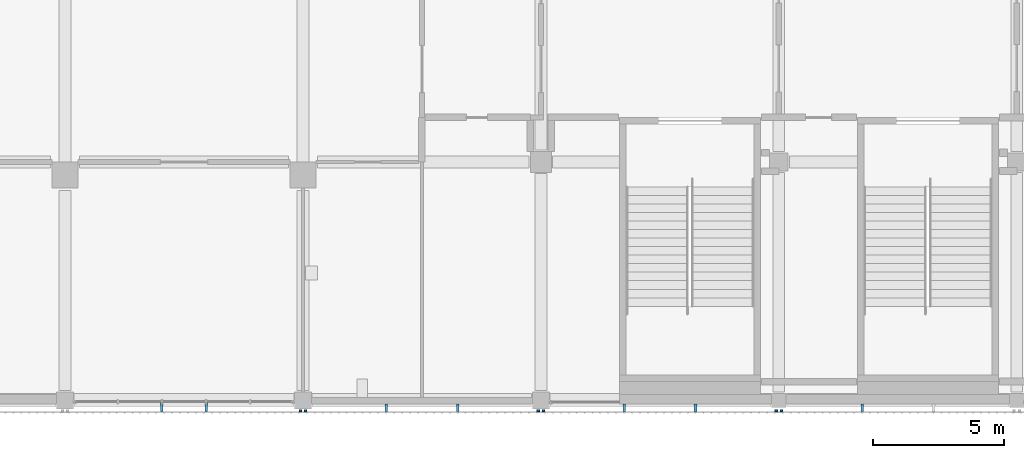
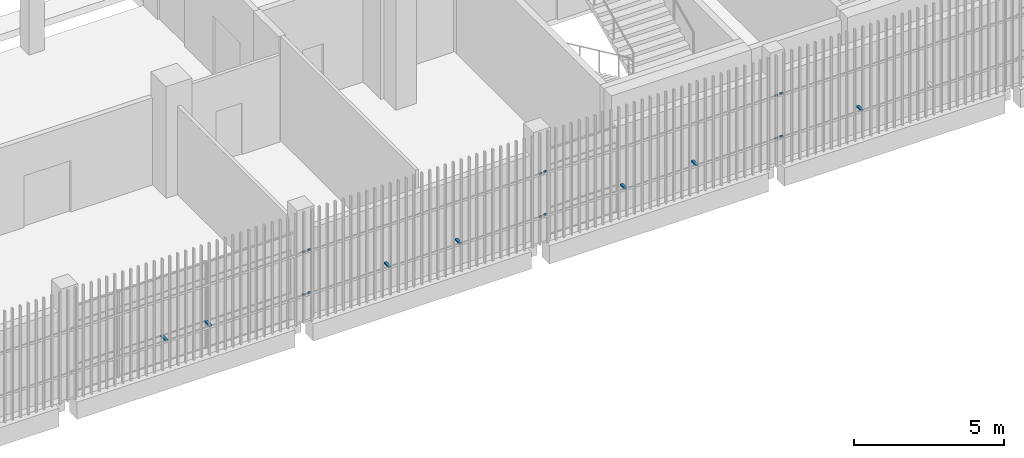
# One storey, part 97 of 126: 19 discrete accessories.
"""IFC4 building model written with IfcOpenShell, lengths in metres."""

from ifc_helpers import new_model, si_unit, direction, frame, origin, origin_2d, place, context, subcontext, project, spatial, rectangle, extrude, material, type_object, element, save


model = new_model("IFC4")

# Units and contexts
model_context = context("Model", 3, precision=1e-05, world=origin(), true_north=direction((0.0, 1.0)))
body_context = subcontext(model_context, "Body", "Model", "MODEL_VIEW")
ifc_project = project(units=[si_unit("LENGTHUNIT", "METRE"), si_unit("AREAUNIT", "SQUARE_METRE"), si_unit("VOLUMEUNIT", "CUBIC_METRE"), si_unit("PLANEANGLEUNIT", "RADIAN"), si_unit("MASSUNIT", "GRAM", prefix="KILO")], contexts=[model_context])

# Site, building, storey
site_placement = place(None, origin())
site = spatial("IfcSite", under=ifc_project, at=site_placement, CompositionType="ELEMENT")
building_placement = place(site_placement, origin())
building = spatial("IfcBuilding", under=site, at=building_placement, Name="Shirokan Park Arena", CompositionType="ELEMENT")
storey_placement = place(building_placement, frame((0.0, 0.0, 6.3701171875)))
storey = spatial("IfcBuildingStorey", under=building, at=storey_placement, Name="L01", CompositionType="ELEMENT", Elevation=6.3701171875)

# Discrete accessories
ifc_material = material(Name="Steel S355", Category="steel")
discrete_accessory_type = type_object("IfcDiscreteAccessoryType", Name="Veil bracket 100x60", PredefinedType="BRACKET", material=ifc_material)
for number, where, z_axis, x_axis, name in (
    (1, (100.0, -0.409912109375, 1.06982421875), (0.0, 0.0, 1.0), (1.0, 0.0, 0.0), "Veil bracket south bay 11 L01 2"),
    (2, (100.0, -0.409912109375, 2.81982421875), (0.0, 0.0, 1.0), (1.0, 0.0, 0.0), "Veil bracket south bay 11 L01 4"),
):
    element("IfcDiscreteAccessory", number, at=place(storey_placement, frame(where, z_axis=z_axis, x_axis=x_axis)), inside=storey, type_object=discrete_accessory_type, Name=name, PredefinedType="BRACKET", context=body_context, shape_type="SweptSolid", body=[
        extrude(rectangle(XDim=0.10009765625, YDim=0.070068359375, at=origin_2d()), origin(), (0.0, 0.0, 1.0), 0.06005859375),
    ])
for number, where, z_axis, x_axis, name in (
    (3, (94.705078125, -0.2724609375, 1.06982421875), (0.0, 0.0, 1.0), (1.0, 0.0, 0.0), "Veil bracket south bay 11 L01 wall 1"),
    (4, (96.39501953125, -0.2724609375, 1.06982421875), (0.0, 0.0, 1.0), (1.0, 0.0, 0.0), "Veil bracket south bay 11 L01 wall 2"),
):
    element("IfcDiscreteAccessory", number, at=place(storey_placement, frame(where, z_axis=z_axis, x_axis=x_axis)), inside=storey, type_object=discrete_accessory_type, Name=name, PredefinedType="BRACKET", context=body_context, shape_type="SweptSolid", body=[
        extrude(rectangle(XDim=0.10009765625, YDim=0.344970703125, at=origin_2d()), origin(), (0.0, 0.0, 1.0), 0.06005859375),
    ])
for number, where, z_axis, x_axis, name in (
    (5, (100.199951171875, -0.409912109375, 1.06982421875), (0.0, 0.0, 1.0), (1.0, 0.0, 0.0), "Veil bracket south bay 12 L01 1"),
    (6, (109.10009765625, -0.409912109375, 1.06982421875), (0.0, 0.0, 1.0), (1.0, 0.0, 0.0), "Veil bracket south bay 12 L01 2"),
    (7, (100.199951171875, -0.409912109375, 2.81982421875), (0.0, 0.0, 1.0), (1.0, 0.0, 0.0), "Veil bracket south bay 12 L01 3"),
    (8, (109.10009765625, -0.409912109375, 2.81982421875), (0.0, 0.0, 1.0), (1.0, 0.0, 0.0), "Veil bracket south bay 12 L01 4"),
):
    element("IfcDiscreteAccessory", number, at=place(storey_placement, frame(where, z_axis=z_axis, x_axis=x_axis)), inside=storey, type_object=discrete_accessory_type, Name=name, PredefinedType="BRACKET", context=body_context, shape_type="SweptSolid", body=[
        extrude(rectangle(XDim=0.10009765625, YDim=0.070068359375, at=origin_2d()), origin(), (0.0, 0.0, 1.0), 0.06005859375),
    ])
for number, where, z_axis, x_axis, name in (
    (9, (103.284912109375, -0.297607421875, 1.06982421875), (0.0, 0.0, 1.0), (1.0, 0.0, 0.0), "Veil bracket south bay 12 L01 wall 1"),
    (10, (106.014892578125, -0.297607421875, 1.06982421875), (0.0, 0.0, 1.0), (1.0, 0.0, 0.0), "Veil bracket south bay 12 L01 wall 2"),
):
    element("IfcDiscreteAccessory", number, at=place(storey_placement, frame(where, z_axis=z_axis, x_axis=x_axis)), inside=storey, type_object=discrete_accessory_type, Name=name, PredefinedType="BRACKET", context=body_context, shape_type="SweptSolid", body=[
        extrude(rectangle(XDim=0.10009765625, YDim=0.294921875, at=origin_2d()), origin(), (0.0, 0.0, 1.0), 0.06005859375),
    ])
for number, where, z_axis, x_axis, name in (
    (11, (109.300048828125, -0.409912109375, 1.06982421875), (0.0, 0.0, 1.0), (1.0, 0.0, 0.0), "Veil bracket south bay 13 L01 1"),
    (12, (118.199951171875, -0.409912109375, 1.06982421875), (0.0, 0.0, 1.0), (1.0, 0.0, 0.0), "Veil bracket south bay 13 L01 2"),
    (13, (109.300048828125, -0.409912109375, 2.81982421875), (0.0, 0.0, 1.0), (1.0, 0.0, 0.0), "Veil bracket south bay 13 L01 3"),
    (14, (118.199951171875, -0.409912109375, 2.81982421875), (0.0, 0.0, 1.0), (1.0, 0.0, 0.0), "Veil bracket south bay 13 L01 4"),
):
    element("IfcDiscreteAccessory", number, at=place(storey_placement, frame(where, z_axis=z_axis, x_axis=x_axis)), inside=storey, type_object=discrete_accessory_type, Name=name, PredefinedType="BRACKET", context=body_context, shape_type="SweptSolid", body=[
        extrude(rectangle(XDim=0.10009765625, YDim=0.070068359375, at=origin_2d()), origin(), (0.0, 0.0, 1.0), 0.06005859375),
    ])
for number, where, z_axis, x_axis, name in (
    (15, (112.385009765625, -0.297607421875, 1.06982421875), (0.0, 0.0, 1.0), (1.0, 0.0, 0.0), "Veil bracket south bay 13 L01 wall 1"),
    (16, (115.114990234375, -0.297607421875, 1.06982421875), (0.0, 0.0, 1.0), (1.0, 0.0, 0.0), "Veil bracket south bay 13 L01 wall 2"),
):
    element("IfcDiscreteAccessory", number, at=place(storey_placement, frame(where, z_axis=z_axis, x_axis=x_axis)), inside=storey, type_object=discrete_accessory_type, Name=name, PredefinedType="BRACKET", context=body_context, shape_type="SweptSolid", body=[
        extrude(rectangle(XDim=0.10009765625, YDim=0.294921875, at=origin_2d()), origin(), (0.0, 0.0, 1.0), 0.06005859375),
    ])
for number, where, z_axis, x_axis, name in (
    (17, (118.39990234375, -0.409912109375, 1.06982421875), (0.0, 0.0, 1.0), (1.0, 0.0, 0.0), "Veil bracket south bay 14 L01 1"),
    (18, (118.39990234375, -0.409912109375, 2.81982421875), (0.0, 0.0, 1.0), (1.0, 0.0, 0.0), "Veil bracket south bay 14 L01 3"),
):
    element("IfcDiscreteAccessory", number, at=place(storey_placement, frame(where, z_axis=z_axis, x_axis=x_axis)), inside=storey, type_object=discrete_accessory_type, Name=name, PredefinedType="BRACKET", context=body_context, shape_type="SweptSolid", body=[
        extrude(rectangle(XDim=0.10009765625, YDim=0.070068359375, at=origin_2d()), origin(), (0.0, 0.0, 1.0), 0.06005859375),
    ])
discrete_accessory_placement = place(storey_placement, frame((121.485107421875, -0.297607421875, 1.06982421875), z_axis=(0.0, 0.0, 1.0), x_axis=(1.0, 0.0, 0.0)))
element("IfcDiscreteAccessory", 19, at=discrete_accessory_placement, inside=storey, type_object=discrete_accessory_type, Name="Veil bracket south bay 14 L01 wall 1", PredefinedType="BRACKET", context=body_context, shape_type="SweptSolid", body=[
    extrude(rectangle(XDim=0.10009765625, YDim=0.294921875, at=origin_2d()), origin(), (0.0, 0.0, 1.0), 0.06005859375),
])

save(model, "model.ifc")
